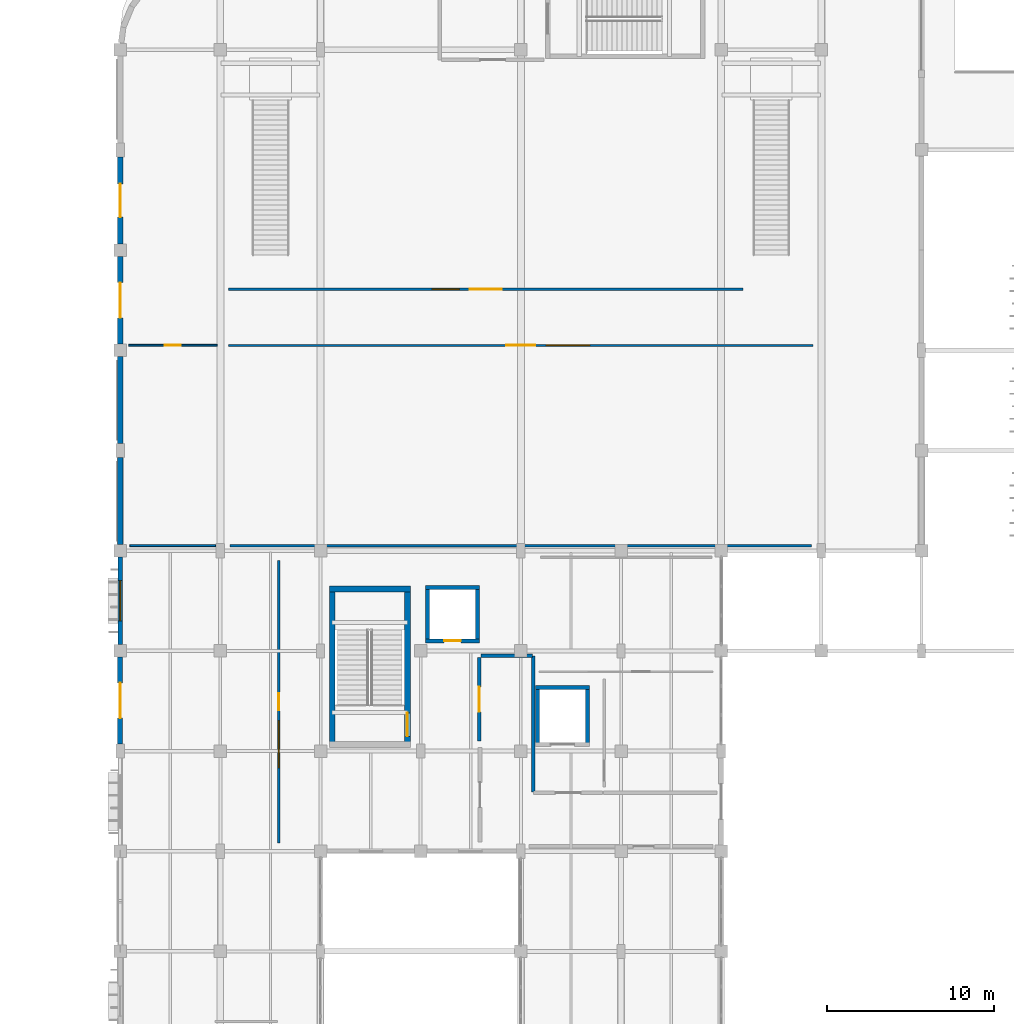
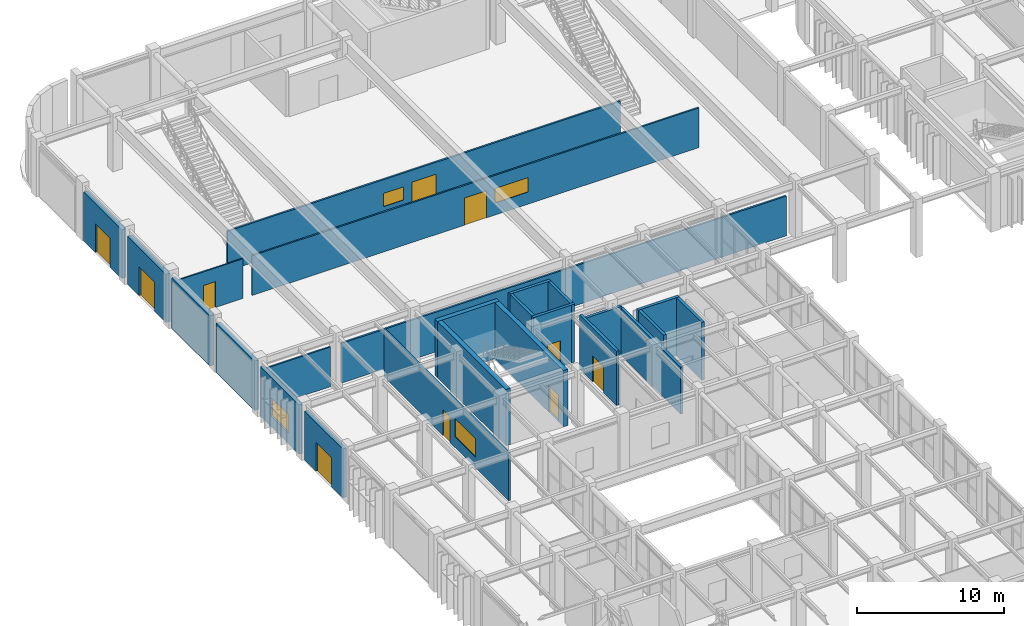
# One storey, part 45 of 76: 25 walls, 10 doors, 4 windows, 14 openings.
"""IFC4 building model written with IfcOpenShell, lengths in metres."""

from ifc_helpers import new_model, si_unit, direction, frame, frame_2d, origin, place, context, subcontext, project, spatial, rectangle, extrude, material, layer, layer_set, type_object, element, fill, save


model = new_model("IFC4")

# Units and contexts
model_context = context("Model", 3, precision=1e-05, world=origin(), true_north=direction((0.0, 1.0)))
body_context = subcontext(model_context, "Body", "Model", "MODEL_VIEW")
ifc_project = project(units=[si_unit("LENGTHUNIT", "METRE"), si_unit("AREAUNIT", "SQUARE_METRE"), si_unit("VOLUMEUNIT", "CUBIC_METRE"), si_unit("PLANEANGLEUNIT", "RADIAN"), si_unit("MASSUNIT", "GRAM", prefix="KILO")], contexts=[model_context])

# Site, building, storey
site_placement = place(None, origin())
site = spatial("IfcSite", under=ifc_project, at=site_placement, CompositionType="ELEMENT")
building_placement = place(site_placement, origin())
building = spatial("IfcBuilding", under=site, at=building_placement, Name="Varnakota Square Police Headquarters", CompositionType="ELEMENT")
storey_placement = place(building_placement, origin())
storey = spatial("IfcBuildingStorey", under=building, at=storey_placement, Name="L00", CompositionType="ELEMENT", Elevation=0.0)

# Wall, opening, door
ifc_material_1 = material(Name="Concrete M40", Category="concrete")
ifc_layer_1 = layer(ifc_material_1, 0.22998046875, Name="Concrete M40")
ifc_layer_set_1 = layer_set([ifc_layer_1], Name="Concrete M40")
wall_type_1 = type_object("IfcWallType", Name="WL-CORE-230", PredefinedType="SHEAR", material=ifc_layer_set_1)
wall_1_placement = place(storey_placement, frame((24.284912109375, 69.60009765625, 0.0), z_axis=(0.0, 0.0, 1.0), x_axis=(1.0, 0.0, 0.0)))
wall_1 = element("IfcWall", 1, at=wall_1_placement, inside=storey, type_object=wall_type_1, Name="Lift shaft wall LF-P3 L00 S", PredefinedType="SHEAR", context=body_context, shape_type="SweptSolid", body=[
    extrude(rectangle(XDim=3.22998046875, YDim=0.22998046875, at=frame_2d((1.614990234375, 0.0))), origin(), (0.0, 0.0, 1.0), 4.800048828125),
])
opening_1_placement = place(wall_1_placement, frame((1.114990234375, 0.0, 0.0)))
opening_1 = element("IfcOpeningElement", 2, at=opening_1_placement, cuts=wall_1, Name="Opening LD032", PredefinedType="OPENING", context=body_context, shape_type="SweptSolid", body=[
    extrude(rectangle(XDim=1.0, YDim=2.14990234375, at=frame_2d((0.5, 1.074951171875))), frame((0.0, 0.125, 0.0), z_axis=(0.0, -1.0, 0.0), x_axis=(1.0, 0.0, 0.0)), (0.0, 0.0, 1.0), 0.25),
])
ifc_material_2 = material(Name="Brushed Grade 316 Stainless Steel", Category="steel")
door_type_1 = type_object("IfcDoorType", Name="DR-LD-PAX", OperationType="NOTDEFINED", PredefinedType="DOOR", material=ifc_material_2)
door_1_placement = place(opening_1_placement, origin())
door_1 = element("IfcDoor", 3, at=door_1_placement, inside=storey, type_object=door_type_1, Name="Lift sliding landing door LD032", OperationType="SLIDING_TO_LEFT", OverallHeight=2.14990234375, OverallWidth=1.0, PredefinedType="DOOR", context=body_context, shape_type="SweptSolid", body=[
    extrude(rectangle(XDim=1.0, YDim=2.14990234375, at=frame_2d((0.5, 1.074951171875))), frame((0.0, 0.02490234375, 0.0), z_axis=(0.0, -1.0, 0.0), x_axis=(1.0, 0.0, 0.0)), (0.0, 0.0, 1.0), 0.050048828125),
])
fill(opening_1, door_1)

# Walls
wall_2_placement = place(storey_placement, frame((27.39990234375, 69.485107421875, 0.0), z_axis=(0.0, 0.0, 1.0), x_axis=(0.0, 1.0, 0.0)))
element("IfcWall", 4, at=wall_2_placement, inside=storey, type_object=wall_type_1, Name="Lift shaft wall LF-P3 L00 E", PredefinedType="SHEAR", context=body_context, shape_type="SweptSolid", body=[
    extrude(rectangle(XDim=3.429931640625, YDim=0.22998046875, at=frame_2d((1.71484375, 0.0))), origin(), (0.0, 0.0, 1.0), 4.800048828125),
])
wall_3_placement = place(storey_placement, frame((27.514892578125, 72.800048828125, 0.0), z_axis=(0.0, 0.0, 1.0), x_axis=(-1.0, 0.0, 0.0)))
element("IfcWall", 5, at=wall_3_placement, inside=storey, type_object=wall_type_1, Name="Lift shaft wall LF-P3 L00 N", PredefinedType="SHEAR", context=body_context, shape_type="SweptSolid", body=[
    extrude(rectangle(XDim=3.22998046875, YDim=0.22998046875, at=frame_2d((1.614990234375, 0.0))), origin(), (0.0, 0.0, 1.0), 4.800048828125),
])
wall_4_placement = place(storey_placement, frame((24.39990234375, 72.9150390625, 0.0), z_axis=(0.0, 0.0, 1.0), x_axis=(0.0, -1.0, 0.0)))
element("IfcWall", 6, at=wall_4_placement, inside=storey, type_object=wall_type_1, Name="Lift shaft wall LF-P3 L00 W", PredefinedType="SHEAR", context=body_context, shape_type="SweptSolid", body=[
    extrude(rectangle(XDim=3.429931640625, YDim=0.22998046875, at=frame_2d((1.71484375, 0.0))), origin(), (0.0, 0.0, 1.0), 4.800048828125),
])
wall_5_placement = place(storey_placement, frame((34.0, 63.284912109375, 0.0), z_axis=(0.0, 0.0, 1.0), x_axis=(0.0, 1.0, 0.0)))
element("IfcWall", 7, at=wall_5_placement, inside=storey, type_object=wall_type_1, Name="Lift shaft wall LF-G1 L00 E", PredefinedType="SHEAR", context=body_context, shape_type="SweptSolid", body=[
    extrude(rectangle(XDim=3.630126953125, YDim=0.22998046875, at=frame_2d((1.81494140625, 0.0))), origin(), (0.0, 0.0, 1.0), 4.800048828125),
])
wall_6_placement = place(storey_placement, frame((34.114990234375, 66.800048828125, 0.0), z_axis=(0.0, 0.0, 1.0), x_axis=(-1.0, 0.0, 0.0)))
element("IfcWall", 8, at=wall_6_placement, inside=storey, type_object=wall_type_1, Name="Lift shaft wall LF-G1 L00 N", PredefinedType="SHEAR", context=body_context, shape_type="SweptSolid", body=[
    extrude(rectangle(XDim=3.22998046875, YDim=0.22998046875, at=frame_2d((1.614990234375, 0.0))), origin(), (0.0, 0.0, 1.0), 4.800048828125),
])
wall_7_placement = place(storey_placement, frame((31.0, 66.9150390625, 0.0), z_axis=(0.0, 0.0, 1.0), x_axis=(0.0, -1.0, 0.0)))
element("IfcWall", 9, at=wall_7_placement, inside=storey, type_object=wall_type_1, Name="Lift shaft wall LF-G1 L00 W", PredefinedType="SHEAR", context=body_context, shape_type="SweptSolid", body=[
    extrude(rectangle(XDim=3.630126953125, YDim=0.22998046875, at=frame_2d((1.81494140625, 0.0))), origin(), (0.0, 0.0, 1.0), 4.800048828125),
])

# Wall, opening, door
ifc_material_3 = material(Name="Concrete M50", Category="concrete")
ifc_layer_2 = layer(ifc_material_3, 0.35009765625, Name="Concrete M50")
ifc_layer_set_2 = layer_set([ifc_layer_2], Name="Concrete M50")
wall_type_2 = type_object("IfcWallType", Name="WL-CORE-350", PredefinedType="SHEAR", material=ifc_layer_set_2)
wall_8_placement = place(storey_placement, frame((23.199951171875, 63.22509765625, 0.0), z_axis=(0.0, 0.0, 1.0), x_axis=(0.0, 1.0, 0.0)))
wall_8 = element("IfcWall", 10, at=wall_8_placement, inside=storey, type_object=wall_type_2, Name="Core C5 shear wall L00 E", PredefinedType="SHEAR", context=body_context, shape_type="SweptSolid", body=[
    extrude(rectangle(XDim=9.64990234375, YDim=0.35009765625, at=frame_2d((4.824951171875, 0.0))), origin(), (0.0, 0.0, 1.0), 4.659912109375),
])
opening_2_placement = place(wall_8_placement, frame((0.655029296875, 0.0, 0.0)))
opening_2 = element("IfcOpeningElement", 11, at=opening_2_placement, cuts=wall_8, Name="Opening SD078", PredefinedType="OPENING", context=body_context, shape_type="SweptSolid", body=[
    extrude(rectangle(XDim=1.39990234375, YDim=2.199951171875, at=frame_2d((0.699951171875, 1.10009765625))), frame((0.0, 0.18505859375, 0.0), z_axis=(0.0, -1.0, 0.0), x_axis=(1.0, 0.0, 0.0)), (0.0, 0.0, 1.0), 0.3701171875),
])
ifc_material_4 = material(Name="Powder-Coated Galvanised Steel", Category="steel")
door_type_2 = type_object("IfcDoorType", Name="DR-ST-140", OperationType="NOTDEFINED", PredefinedType="DOOR", material=ifc_material_4)
door_2_placement = place(opening_2_placement, origin())
door_2 = element("IfcDoor", 12, at=door_2_placement, inside=storey, type_object=door_type_2, Name="Protected stair door SD078", OperationType="DOUBLE_DOOR_SINGLE_SWING", OverallHeight=2.199951171875, OverallWidth=1.39990234375, PredefinedType="DOOR", context=body_context, shape_type="SweptSolid", body=[
    extrude(rectangle(XDim=1.39990234375, YDim=2.199951171875, at=frame_2d((0.699951171875, 1.10009765625))), frame((0.0, 0.02490234375, 0.0), z_axis=(0.0, -1.0, 0.0), x_axis=(1.0, 0.0, 0.0)), (0.0, 0.0, 1.0), 0.050048828125),
])
fill(opening_2, door_2)

# Walls
wall_9_placement = place(storey_placement, frame((23.375, 72.699951171875, 0.0), z_axis=(0.0, 0.0, 1.0), x_axis=(-1.0, 0.0, 0.0)))
element("IfcWall", 13, at=wall_9_placement, inside=storey, type_object=wall_type_2, Name="Core C5 shear wall L00 N", PredefinedType="SHEAR", context=body_context, shape_type="SweptSolid", body=[
    extrude(rectangle(XDim=4.85009765625, YDim=0.35009765625, at=frame_2d((2.425048828125, 0.0))), origin(), (0.0, 0.0, 1.0), 4.659912109375),
])
wall_10_placement = place(storey_placement, frame((18.699951171875, 72.875, 0.0), z_axis=(0.0, 0.0, 1.0), x_axis=(0.0, -1.0, 0.0)))
element("IfcWall", 14, at=wall_10_placement, inside=storey, type_object=wall_type_2, Name="Core C5 shear wall L00 W", PredefinedType="SHEAR", context=body_context, shape_type="SweptSolid", body=[
    extrude(rectangle(XDim=9.64990234375, YDim=0.35009765625, at=frame_2d((4.824951171875, 0.0))), origin(), (0.0, 0.0, 1.0), 4.659912109375),
])

# Wall, opening, window
ifc_layer_3 = layer(ifc_material_1, 0.280029296875, Name="Concrete M40")
ifc_layer_set_3 = layer_set([ifc_layer_3], Name="Concrete M40")
wall_type_3 = type_object("IfcWallType", Name="WL-EXT-280", PredefinedType="SOLIDWALL", material=ifc_layer_set_3)
wall_11_placement = place(storey_placement, frame((6.0, 69.37890625, 0.0), z_axis=(0.0, 0.0, 1.0), x_axis=(0.0, 1.0, 0.0)))
wall_11 = element("IfcWall", 15, at=wall_11_placement, inside=storey, type_object=wall_type_3, Name="Exterior wall EW-L00-0393", PredefinedType="SOLIDWALL", context=body_context, shape_type="SweptSolid", body=[
    extrude(rectangle(XDim=5.2421875, YDim=0.280029296875, at=frame_2d((2.62109375, 0.0))), origin(), (0.0, 0.0, 1.0), 4.08349609375),
])
opening_3_placement = place(wall_11_placement, frame((1.4208984375, 0.0, 0.89990234375)))
opening_3 = element("IfcOpeningElement", 16, at=opening_3_placement, cuts=wall_11, Name="Opening W02", PredefinedType="OPENING", context=body_context, shape_type="SweptSolid", body=[
    extrude(rectangle(XDim=2.39990234375, YDim=1.5, at=frame_2d((1.199951171875, 0.75))), frame((0.0, 0.14990234375, 0.0), z_axis=(0.0, -1.0, 0.0), x_axis=(1.0, 0.0, 0.0)), (0.0, 0.0, 1.0), 0.300048828125),
])
ifc_material_5 = material(Name="Thermally Broken Aluminium Double-Glazed Window", Category="aluminium")
window_type_1 = type_object("IfcWindowType", Name="WIN-02", PartitioningType="SINGLE_PANEL", PredefinedType="WINDOW", material=ifc_material_5)
window_1_placement = place(opening_3_placement, origin())
window_1 = element("IfcWindow", 17, at=window_1_placement, inside=storey, type_object=window_type_1, Name="Window WN-L00-0068", OverallHeight=1.5, OverallWidth=2.39990234375, PartitioningType="SINGLE_PANEL", PredefinedType="WINDOW", context=body_context, shape_type="SweptSolid", body=[
    extrude(rectangle(XDim=2.39990234375, YDim=1.5, at=frame_2d((1.199951171875, 0.75))), frame((0.0, 0.030029296875, 0.0), z_axis=(0.0, -1.0, 0.0), x_axis=(1.0, 0.0, 0.0)), (0.0, 0.0, 1.0), 0.06005859375),
])
fill(opening_3, window_1)

# Wall, opening, door
ifc_material_6 = material(Name="Precast concrete M40", Category="concrete")
ifc_layer_4 = layer(ifc_material_6, 0.300048828125, Name="Precast concrete M40")
ifc_layer_set_4 = layer_set([ifc_layer_4], Name="Precast concrete M40")
wall_type_4 = type_object("IfcWallType", Name="WL-EXT-300", PredefinedType="SOLIDWALL", material=ifc_layer_set_4)
wall_12_placement = place(storey_placement, frame((6.0, 63.428955078125, 0.0), z_axis=(0.0, 0.0, 1.0), x_axis=(0.0, 1.0, 0.0)))
wall_12 = element("IfcWall", 18, at=wall_12_placement, inside=storey, type_object=wall_type_4, Name="Exterior wall EW-L00-0392", PredefinedType="SOLIDWALL", context=body_context, shape_type="SweptSolid", body=[
    extrude(rectangle(XDim=5.192138671875, YDim=0.300048828125, at=frame_2d((2.59619140625, 0.0))), origin(), (0.0, 0.0, 1.0), 4.0400390625),
])
opening_4_placement = place(wall_12_placement, frame((1.5458984375, 0.0, 0.0)))
opening_4 = element("IfcOpeningElement", 19, at=opening_4_placement, cuts=wall_12, Name="Opening ED17", PredefinedType="OPENING", context=body_context, shape_type="SweptSolid", body=[
    extrude(rectangle(XDim=2.10009765625, YDim=2.39990234375, at=frame_2d((1.050048828125, 1.199951171875))), frame((0.0, 0.159912109375, 0.0), z_axis=(0.0, -1.0, 0.0), x_axis=(1.0, 0.0, 0.0)), (0.0, 0.0, 1.0), 0.320068359375),
])
ifc_material_7 = material(Name="Anodised Aluminium Glazed Exit Door", Category="aluminium")
door_type_3 = type_object("IfcDoorType", Name="DR-EXT-ED210", OperationType="NOTDEFINED", PredefinedType="DOOR", material=ifc_material_7)
door_3_placement = place(opening_4_placement, origin())
door_3 = element("IfcDoor", 20, at=door_3_placement, inside=storey, type_object=door_type_3, Name="Exterior door ED17", OperationType="DOUBLE_DOOR_SINGLE_SWING", OverallHeight=2.39990234375, OverallWidth=2.10009765625, PredefinedType="DOOR", context=body_context, shape_type="SweptSolid", body=[
    extrude(rectangle(XDim=2.10009765625, YDim=2.39990234375, at=frame_2d((1.050048828125, 1.199951171875))), frame((0.0, 0.02490234375, 0.0), z_axis=(0.0, -1.0, 0.0), x_axis=(1.0, 0.0, 0.0)), (0.0, 0.0, 1.0), 0.050048828125),
])
fill(opening_4, door_3)

# Walls
ifc_layer_5 = layer(ifc_material_1, 0.340087890625, Name="Concrete M40")
ifc_layer_set_5 = layer_set([ifc_layer_5], Name="Concrete M40")
wall_type_5 = type_object("IfcWallType", Name="WL-EXT-340", PredefinedType="SOLIDWALL", material=ifc_layer_set_5)
wall_13_placement = place(storey_placement, frame((6.0, 75.37890625, 0.0), z_axis=(0.0, 0.0, 1.0), x_axis=(0.0, 1.0, 0.0)))
element("IfcWall", 21, at=wall_13_placement, inside=storey, type_object=wall_type_5, Name="Exterior wall EW-L00-0556", PredefinedType="SOLIDWALL", context=body_context, shape_type="SweptSolid", body=[
    extrude(rectangle(XDim=5.192138671875, YDim=0.340087890625, at=frame_2d((2.59619140625, 0.0))), origin(), (0.0, 0.0, 1.0), 4.08349609375),
])
wall_14_placement = place(storey_placement, frame((6.0, 81.428955078125, 0.0), z_axis=(0.0, 0.0, 1.0), x_axis=(0.0, 1.0, 0.0)))
element("IfcWall", 22, at=wall_14_placement, inside=storey, type_object=wall_type_5, Name="Exterior wall EW-L00-0557", PredefinedType="SOLIDWALL", context=body_context, shape_type="SweptSolid", body=[
    extrude(rectangle(XDim=5.192138671875, YDim=0.340087890625, at=frame_2d((2.59619140625, 0.0))), origin(), (0.0, 0.0, 1.0), 4.166015625),
])

# Wall, opening, door
wall_15_placement = place(storey_placement, frame((6.0, 87.37890625, 0.0), z_axis=(0.0, 0.0, 1.0), x_axis=(0.0, 1.0, 0.0)))
wall_15 = element("IfcWall", 23, at=wall_15_placement, inside=storey, type_object=wall_type_5, Name="Exterior wall EW-L00-0558", PredefinedType="SOLIDWALL", context=body_context, shape_type="SweptSolid", body=[
    extrude(rectangle(XDim=5.2421875, YDim=0.340087890625, at=frame_2d((2.62109375, 0.0))), origin(), (0.0, 0.0, 1.0), 3.989990234375),
])
opening_5_placement = place(wall_15_placement, frame((1.571044921875, 0.0, 0.0)))
opening_5 = element("IfcOpeningElement", 24, at=opening_5_placement, cuts=wall_15, Name="Opening ED19", PredefinedType="OPENING", context=body_context, shape_type="SweptSolid", body=[
    extrude(rectangle(XDim=2.10009765625, YDim=2.39990234375, at=frame_2d((1.050048828125, 1.199951171875))), frame((0.0, 0.179931640625, 0.0), z_axis=(0.0, -1.0, 0.0), x_axis=(1.0, 0.0, 0.0)), (0.0, 0.0, 1.0), 0.360107421875),
])
door_4_placement = place(opening_5_placement, origin())
door_4 = element("IfcDoor", 25, at=door_4_placement, inside=storey, type_object=door_type_3, Name="Exterior door ED19", OperationType="DOUBLE_DOOR_SINGLE_SWING", OverallHeight=2.39990234375, OverallWidth=2.10009765625, PredefinedType="DOOR", context=body_context, shape_type="SweptSolid", body=[
    extrude(rectangle(XDim=2.10009765625, YDim=2.39990234375, at=frame_2d((1.050048828125, 1.199951171875))), frame((0.0, 0.02490234375, 0.0), z_axis=(0.0, -1.0, 0.0), x_axis=(1.0, 0.0, 0.0)), (0.0, 0.0, 1.0), 0.050048828125),
])
fill(opening_5, door_4)

wall_16_placement = place(storey_placement, frame((6.0, 93.37890625, 0.0), z_axis=(0.0, 0.0, 1.0), x_axis=(0.0, 1.0, 0.0)))
wall_16 = element("IfcWall", 26, at=wall_16_placement, inside=storey, type_object=wall_type_5, Name="Exterior wall EW-L00-0559", PredefinedType="SOLIDWALL", context=body_context, shape_type="SweptSolid", body=[
    extrude(rectangle(XDim=5.192138671875, YDim=0.340087890625, at=frame_2d((2.59619140625, 0.0))), origin(), (0.0, 0.0, 1.0), 4.0400390625),
])
opening_6_placement = place(wall_16_placement, frame((1.595947265625, 0.0, 0.0)))
opening_6 = element("IfcOpeningElement", 27, at=opening_6_placement, cuts=wall_16, Name="Opening ED20", PredefinedType="OPENING", context=body_context, shape_type="SweptSolid", body=[
    extrude(rectangle(XDim=2.0, YDim=2.39990234375, at=frame_2d((1.0, 1.199951171875))), frame((0.0, 0.179931640625, 0.0), z_axis=(0.0, -1.0, 0.0), x_axis=(1.0, 0.0, 0.0)), (0.0, 0.0, 1.0), 0.360107421875),
])
ifc_material_8 = material(Name="Powder-Coated Steel Exit Door", Category="steel")
door_type_4 = type_object("IfcDoorType", Name="DR-EXT-ED200", OperationType="NOTDEFINED", PredefinedType="DOOR", material=ifc_material_8)
door_5_placement = place(opening_6_placement, origin())
door_5 = element("IfcDoor", 28, at=door_5_placement, inside=storey, type_object=door_type_4, Name="Exterior door ED20", OperationType="DOUBLE_DOOR_SINGLE_SWING", OverallHeight=2.39990234375, OverallWidth=2.0, PredefinedType="DOOR", context=body_context, shape_type="SweptSolid", body=[
    extrude(rectangle(XDim=2.0, YDim=2.39990234375, at=frame_2d((1.0, 1.199951171875))), frame((0.0, 0.02490234375, 0.0), z_axis=(0.0, -1.0, 0.0), x_axis=(1.0, 0.0, 0.0)), (0.0, 0.0, 1.0), 0.050048828125),
])
fill(opening_6, door_5)

ifc_material_9 = material(Name="Glazed Clean-Lab Modular Partition", Category="gypsum")
ifc_layer_6 = layer(ifc_material_9, 0.10498046875, Name="Glazed Clean-Lab Modular Partition")
ifc_layer_set_6 = layer_set([ifc_layer_6], Name="Glazed Clean-Lab Modular Partition")
wall_type_6 = type_object("IfcWallType", Name="WL-PRT-105", PredefinedType="PARTITIONING", material=ifc_layer_set_6)
wall_17_placement = place(storey_placement, frame((6.5, 87.300048828125, 0.0), z_axis=(0.0, 0.0, 1.0), x_axis=(1.0, 0.0, 0.0)))
wall_17 = element("IfcWall", 29, at=wall_17_placement, inside=storey, type_object=wall_type_6, Name="Interior partition PW-L00-0047 (Qualification Control Booth)", PredefinedType="PARTITIONING", context=body_context, shape_type="SweptSolid", body=[
    extrude(rectangle(XDim=5.300048828125, YDim=0.10498046875, at=frame_2d((2.64990234375, 0.0))), origin(), (0.0, 0.0, 1.0), 3.2900390625),
])
opening_7_placement = place(wall_17_placement, frame((2.175048828125, 0.0, 0.0)))
opening_7 = element("IfcOpeningElement", 30, at=opening_7_placement, cuts=wall_17, Name="Opening D179", PredefinedType="OPENING", context=body_context, shape_type="SweptSolid", body=[
    extrude(rectangle(XDim=0.949951171875, YDim=2.14990234375, at=frame_2d((0.47509765625, 1.074951171875))), frame((0.0, 0.0625, 0.0), z_axis=(0.0, -1.0, 0.0), x_axis=(1.0, 0.0, 0.0)), (0.0, 0.0, 1.0), 0.125),
])
ifc_material_10 = material(Name="Solid-Core Teak Veneer Hardwood", Category="wood")
door_type_5 = type_object("IfcDoorType", Name="DR-OFF-095", OperationType="NOTDEFINED", PredefinedType="DOOR", material=ifc_material_10)
door_6_placement = place(opening_7_placement, origin())
door_6 = element("IfcDoor", 31, at=door_6_placement, inside=storey, type_object=door_type_5, Name="Room door D179 (Qualification Control Booth)", OperationType="SINGLE_SWING_LEFT", OverallHeight=2.14990234375, OverallWidth=0.949951171875, PredefinedType="DOOR", context=body_context, shape_type="SweptSolid", body=[
    extrude(rectangle(XDim=0.949951171875, YDim=2.14990234375, at=frame_2d((0.47509765625, 1.074951171875))), frame((0.0, 0.02490234375, 0.0), z_axis=(0.0, -1.0, 0.0), x_axis=(1.0, 0.0, 0.0)), (0.0, 0.0, 1.0), 0.050048828125),
])
fill(opening_7, door_6)

# Wall
ifc_material_11 = material(Name="Moisture-Resistant Tile-Backed Partition", Category="gypsum")
ifc_layer_7 = layer(ifc_material_11, 0.114990234375, Name="Moisture-Resistant Tile-Backed Partition")
ifc_layer_set_7 = layer_set([ifc_layer_7], Name="Moisture-Resistant Tile-Backed Partition")
wall_type_7 = type_object("IfcWallType", Name="WL-PRT-115", PredefinedType="PARTITIONING", material=ifc_layer_set_7)
wall_18_placement = place(storey_placement, frame((11.719970703125, 75.300048828125, 0.0), z_axis=(0.0, 0.0, 1.0), x_axis=(-1.0, 0.0, 0.0)))
element("IfcWall", 32, at=wall_18_placement, inside=storey, type_object=wall_type_7, Name="Interior dividing partition PW-L00-0081 (Qualification Control Booth)", PredefinedType="PARTITIONING", context=body_context, shape_type="SweptSolid", body=[
    extrude(rectangle(XDim=5.139892578125, YDim=0.114990234375, at=frame_2d((2.56982421875, 0.0))), origin(), (0.0, 0.0, 1.0), 3.2900390625),
])

# Wall, openings, door, window
ifc_material_12 = material(Name="Acoustic Insulated Metal-Stud Partition", Category="gypsum")
ifc_layer_8 = layer(ifc_material_12, 0.125, Name="Acoustic Insulated Metal-Stud Partition")
ifc_layer_set_8 = layer_set([ifc_layer_8], Name="Acoustic Insulated Metal-Stud Partition")
wall_type_8 = type_object("IfcWallType", Name="WL-PRT-125", PredefinedType="PARTITIONING", material=ifc_layer_set_8)
wall_19_placement = place(storey_placement, frame((12.5, 87.300048828125, 0.0), z_axis=(0.0, 0.0, 1.0), x_axis=(1.0, 0.0, 0.0)))
wall_19 = element("IfcWall", 33, at=wall_19_placement, inside=storey, type_object=wall_type_8, Name="Interior partition PW-L00-0046 (Indoor Baffled Firing Range)", PredefinedType="PARTITIONING", context=body_context, shape_type="SweptSolid", body=[
    extrude(rectangle(XDim=35.0, YDim=0.125, at=frame_2d((17.5, 0.0))), origin(), (0.0, 0.0, 1.0), 3.2900390625),
])
opening_8_placement = place(wall_19_placement, frame((16.625, 0.0, 0.0)))
opening_8 = element("IfcOpeningElement", 34, at=opening_8_placement, cuts=wall_19, Name="Opening D178", PredefinedType="OPENING", context=body_context, shape_type="SweptSolid", body=[
    extrude(rectangle(XDim=1.75, YDim=2.25, at=frame_2d((0.875, 1.125))), frame((0.0, 0.072509765625, 0.0), z_axis=(0.0, -1.0, 0.0), x_axis=(1.0, 0.0, 0.0)), (0.0, 0.0, 1.0), 0.14501953125),
])
opening_9_placement = place(wall_19_placement, frame((19.02490234375, 0.0, 1.0)))
opening_9 = element("IfcOpeningElement", 35, at=opening_9_placement, cuts=wall_19, Name="Opening IW02", PredefinedType="OPENING", context=body_context, shape_type="SweptSolid", body=[
    extrude(rectangle(XDim=2.60009765625, YDim=1.199951171875, at=frame_2d((1.300048828125, 0.60009765625))), frame((0.0, 0.072509765625, 0.0), z_axis=(0.0, -1.0, 0.0), x_axis=(1.0, 0.0, 0.0)), (0.0, 0.0, 1.0), 0.14501953125),
])
ifc_material_13 = material(Name="Thermally Broken Anodised Aluminium and Toughened Glass", Category="aluminium")
door_type_6 = type_object("IfcDoorType", Name="DR-GYM-175", OperationType="NOTDEFINED", PredefinedType="DOOR", material=ifc_material_13)
door_7_placement = place(opening_8_placement, origin())
door_7 = element("IfcDoor", 36, at=door_7_placement, inside=storey, type_object=door_type_6, Name="Room door D178 (Indoor Baffled Firing Range)", OperationType="DOUBLE_DOOR_SINGLE_SWING", OverallHeight=2.25, OverallWidth=1.75, PredefinedType="DOOR", context=body_context, shape_type="SweptSolid", body=[
    extrude(rectangle(XDim=1.75, YDim=2.25, at=frame_2d((0.875, 1.125))), frame((0.0, 0.02490234375, 0.0), z_axis=(0.0, -1.0, 0.0), x_axis=(1.0, 0.0, 0.0)), (0.0, 0.0, 1.0), 0.050048828125),
])
fill(opening_8, door_7)
ifc_material_14 = material(Name="Acoustic Laminated Interior Vision Glazing", Category="glass")
window_type_2 = type_object("IfcWindowType", Name="WIN-INT-02", PartitioningType="SINGLE_PANEL", PredefinedType="WINDOW", material=ifc_material_14)
window_2_placement = place(opening_9_placement, origin())
window_2 = element("IfcWindow", 37, at=window_2_placement, inside=storey, type_object=window_type_2, Name="Interior observation window IWN-L00-010", OverallHeight=1.199951171875, OverallWidth=2.60009765625, PartitioningType="SINGLE_PANEL", PredefinedType="WINDOW", context=body_context, shape_type="SweptSolid", body=[
    extrude(rectangle(XDim=2.60009765625, YDim=1.199951171875, at=frame_2d((1.300048828125, 0.60009765625))), frame((0.0, 0.030029296875, 0.0), z_axis=(0.0, -1.0, 0.0), x_axis=(1.0, 0.0, 0.0)), (0.0, 0.0, 1.0), 0.06005859375),
])
fill(opening_9, window_2)

ifc_layer_9 = layer(ifc_material_12, 0.139892578125, Name="Acoustic Insulated Metal-Stud Partition")
ifc_layer_set_9 = layer_set([ifc_layer_9], Name="Acoustic Insulated Metal-Stud Partition")
wall_type_9 = type_object("IfcWallType", Name="WL-PRT-140", PredefinedType="PARTITIONING", material=ifc_layer_set_9)
wall_20_placement = place(storey_placement, frame((15.5, 74.39990234375, 0.0), z_axis=(0.0, 0.0, 1.0), x_axis=(0.0, -1.0, 0.0)))
wall_20 = element("IfcWall", 38, at=wall_20_placement, inside=storey, type_object=wall_type_9, Name="Interior partition PW-L00-0043 (Bulk Forensic Exhibit Store)", PredefinedType="PARTITIONING", context=body_context, shape_type="SweptSolid", body=[
    extrude(rectangle(XDim=16.89990234375, YDim=0.139892578125, at=frame_2d((8.449951171875, 0.0))), origin(), (0.0, 0.0, 1.0), 3.93994140625),
])
opening_10_placement = place(wall_20_placement, frame((7.949951171875, 0.0, 0.0)))
opening_10 = element("IfcOpeningElement", 39, at=opening_10_placement, cuts=wall_20, Name="Opening D175", PredefinedType="OPENING", context=body_context, shape_type="SweptSolid", body=[
    extrude(rectangle(XDim=1.0, YDim=2.14990234375, at=frame_2d((0.5, 1.074951171875))), frame((0.0, 0.079833984375, 0.0), z_axis=(0.0, -1.0, 0.0), x_axis=(1.0, 0.0, 0.0)), (0.0, 0.0, 1.0), 0.159912109375),
])
opening_11_placement = place(wall_20_placement, frame((9.60009765625, 0.0, 0.89990234375)))
opening_11 = element("IfcOpeningElement", 40, at=opening_11_placement, cuts=wall_20, Name="Opening IW08", PredefinedType="OPENING", context=body_context, shape_type="SweptSolid", body=[
    extrude(rectangle(XDim=2.800048828125, YDim=1.5, at=frame_2d((1.39990234375, 0.75))), frame((0.0, 0.079833984375, 0.0), z_axis=(0.0, -1.0, 0.0), x_axis=(1.0, 0.0, 0.0)), (0.0, 0.0, 1.0), 0.159912109375),
])
door_type_7 = type_object("IfcDoorType", Name="DR-OFF-100", OperationType="NOTDEFINED", PredefinedType="DOOR", material=ifc_material_10)
door_8_placement = place(opening_10_placement, origin())
door_8 = element("IfcDoor", 41, at=door_8_placement, inside=storey, type_object=door_type_7, Name="Room door D175 (Bulk Forensic Exhibit Store)", OperationType="SINGLE_SWING_RIGHT", OverallHeight=2.14990234375, OverallWidth=1.0, PredefinedType="DOOR", context=body_context, shape_type="SweptSolid", body=[
    extrude(rectangle(XDim=1.0, YDim=2.14990234375, at=frame_2d((0.5, 1.074951171875))), frame((0.0, 0.02490234375, 0.0), z_axis=(0.0, -1.0, 0.0), x_axis=(1.0, 0.0, 0.0)), (0.0, 0.0, 1.0), 0.050048828125),
])
fill(opening_10, door_8)
window_type_3 = type_object("IfcWindowType", Name="WIN-INT-08", PartitioningType="SINGLE_PANEL", PredefinedType="WINDOW", material=ifc_material_14)
window_3_placement = place(opening_11_placement, origin())
window_3 = element("IfcWindow", 42, at=window_3_placement, inside=storey, type_object=window_type_3, Name="Interior observation window IWN-L00-008", OverallHeight=1.5, OverallWidth=2.800048828125, PartitioningType="SINGLE_PANEL", PredefinedType="WINDOW", context=body_context, shape_type="SweptSolid", body=[
    extrude(rectangle(XDim=2.800048828125, YDim=1.5, at=frame_2d((1.39990234375, 0.75))), frame((0.0, 0.030029296875, 0.0), z_axis=(0.0, -1.0, 0.0), x_axis=(1.0, 0.0, 0.0)), (0.0, 0.0, 1.0), 0.06005859375),
])
fill(opening_11, window_3)

wall_21_placement = place(storey_placement, frame((43.300048828125, 90.64990234375, 0.0), z_axis=(0.0, 0.0, 1.0), x_axis=(-1.0, 0.0, 0.0)))
wall_21 = element("IfcWall", 43, at=wall_21_placement, inside=storey, type_object=wall_type_9, Name="Interior partition PW-L00-0048 (Briefing Auditorium)", PredefinedType="PARTITIONING", context=body_context, shape_type="SweptSolid", body=[
    extrude(rectangle(XDim=30.800048828125, YDim=0.139892578125, at=frame_2d((15.39990234375, 0.0))), origin(), (0.0, 0.0, 1.0), 3.2900390625),
])
opening_12_placement = place(wall_21_placement, frame((14.449951171875, 0.0, 0.0)))
opening_12 = element("IfcOpeningElement", 44, at=opening_12_placement, cuts=wall_21, Name="Opening D180", PredefinedType="OPENING", context=body_context, shape_type="SweptSolid", body=[
    extrude(rectangle(XDim=1.89990234375, YDim=2.300048828125, at=frame_2d((0.949951171875, 1.14990234375))), frame((0.0, 0.079833984375, 0.0), z_axis=(0.0, -1.0, 0.0), x_axis=(1.0, 0.0, 0.0)), (0.0, 0.0, 1.0), 0.159912109375),
])
opening_13_placement = place(wall_21_placement, frame((17.0, 0.0, 1.050048828125)))
opening_13 = element("IfcOpeningElement", 45, at=opening_13_placement, cuts=wall_21, Name="Opening IW03", PredefinedType="OPENING", context=body_context, shape_type="SweptSolid", body=[
    extrude(rectangle(XDim=1.60009765625, YDim=1.10009765625, at=frame_2d((0.800048828125, 0.550048828125))), frame((0.0, 0.079833984375, 0.0), z_axis=(0.0, -1.0, 0.0), x_axis=(1.0, 0.0, 0.0)), (0.0, 0.0, 1.0), 0.159912109375),
])
ifc_material_15 = material(Name="Solid-Core Acoustic Walnut Veneer Timber", Category="wood")
door_type_8 = type_object("IfcDoorType", Name="DR-AUD-190", OperationType="NOTDEFINED", PredefinedType="DOOR", material=ifc_material_15)
door_9_placement = place(opening_12_placement, origin())
door_9 = element("IfcDoor", 46, at=door_9_placement, inside=storey, type_object=door_type_8, Name="Room door D180 (Briefing Auditorium)", OperationType="DOUBLE_DOOR_SINGLE_SWING", OverallHeight=2.300048828125, OverallWidth=1.89990234375, PredefinedType="DOOR", context=body_context, shape_type="SweptSolid", body=[
    extrude(rectangle(XDim=1.89990234375, YDim=2.300048828125, at=frame_2d((0.949951171875, 1.14990234375))), frame((0.0, 0.02490234375, 0.0), z_axis=(0.0, -1.0, 0.0), x_axis=(1.0, 0.0, 0.0)), (0.0, 0.0, 1.0), 0.050048828125),
])
fill(opening_12, door_9)
window_type_4 = type_object("IfcWindowType", Name="WIN-INT-03", PartitioningType="SINGLE_PANEL", PredefinedType="WINDOW", material=ifc_material_14)
window_4_placement = place(opening_13_placement, origin())
window_4 = element("IfcWindow", 47, at=window_4_placement, inside=storey, type_object=window_type_4, Name="Interior observation window IWN-L00-011", OverallHeight=1.10009765625, OverallWidth=1.60009765625, PartitioningType="SINGLE_PANEL", PredefinedType="WINDOW", context=body_context, shape_type="SweptSolid", body=[
    extrude(rectangle(XDim=1.60009765625, YDim=1.10009765625, at=frame_2d((0.800048828125, 0.550048828125))), frame((0.0, 0.030029296875, 0.0), z_axis=(0.0, -1.0, 0.0), x_axis=(1.0, 0.0, 0.0)), (0.0, 0.0, 1.0), 0.06005859375),
])
fill(opening_13, window_4)

# Wall
wall_22_placement = place(storey_placement, frame((47.419921875, 75.300048828125, 0.0), z_axis=(0.0, 0.0, 1.0), x_axis=(-1.0, 0.0, 0.0)))
element("IfcWall", 48, at=wall_22_placement, inside=storey, type_object=wall_type_9, Name="Interior dividing partition PW-L00-0080 (Indoor Baffled Firing Range)", PredefinedType="PARTITIONING", context=body_context, shape_type="SweptSolid", body=[
    extrude(rectangle(XDim=34.83984375, YDim=0.139892578125, at=frame_2d((17.419921875, 0.0))), origin(), (0.0, 0.0, 1.0), 3.2900390625),
])

# Wall, opening, door
ifc_layer_10 = layer(ifc_material_1, 0.215087890625, Name="Concrete M40")
ifc_layer_set_10 = layer_set([ifc_layer_10], Name="Concrete M40")
wall_type_10 = type_object("IfcWallType", Name="WL-PRT-215F", PredefinedType="PARTITIONING", material=ifc_layer_set_10)
wall_23_placement = place(storey_placement, frame((27.5, 63.60009765625, 0.0), z_axis=(0.0, 0.0, 1.0), x_axis=(0.0, 1.0, 0.0)))
wall_23 = element("IfcWall", 49, at=wall_23_placement, inside=storey, type_object=wall_type_10, Name="Core C5 lobby fire partition L00", PredefinedType="PARTITIONING", context=body_context, shape_type="SweptSolid", body=[
    extrude(rectangle(XDim=5.0, YDim=0.215087890625, at=frame_2d((2.5, 0.0))), origin(), (0.0, 0.0, 1.0), 4.489990234375),
])
opening_14_placement = place(wall_23_placement, frame((1.75, 0.0, 0.0)))
opening_14 = element("IfcOpeningElement", 50, at=opening_14_placement, cuts=wall_23, Name="Opening FD085", PredefinedType="OPENING", context=body_context, shape_type="SweptSolid", body=[
    extrude(rectangle(XDim=1.5, YDim=2.14990234375, at=frame_2d((0.75, 1.074951171875))), frame((0.0, 0.117431640625, 0.0), z_axis=(0.0, -1.0, 0.0), x_axis=(1.0, 0.0, 0.0)), (0.0, 0.0, 1.0), 0.235107421875),
])
ifc_material_16 = material(Name="Smoke-Sealed Galvanised Acoustic Steel", Category="steel")
door_type_9 = type_object("IfcDoorType", Name="DR-FFL-150", OperationType="NOTDEFINED", PredefinedType="DOOR", material=ifc_material_16)
door_10_placement = place(opening_14_placement, origin())
door_10 = element("IfcDoor", 51, at=door_10_placement, inside=storey, type_object=door_type_9, Name="Core lobby smoke door FD085", OperationType="DOUBLE_DOOR_SINGLE_SWING", OverallHeight=2.14990234375, OverallWidth=1.5, PredefinedType="DOOR", context=body_context, shape_type="SweptSolid", body=[
    extrude(rectangle(XDim=1.5, YDim=2.14990234375, at=frame_2d((0.75, 1.074951171875))), frame((0.0, 0.02490234375, 0.0), z_axis=(0.0, -1.0, 0.0), x_axis=(1.0, 0.0, 0.0)), (0.0, 0.0, 1.0), 0.050048828125),
])
fill(opening_14, door_10)

# Walls
wall_24_placement = place(storey_placement, frame((30.75, 60.550048828125, 0.0), z_axis=(0.0, 0.0, 1.0), x_axis=(0.0, 1.0, 0.0)))
element("IfcWall", 52, at=wall_24_placement, inside=storey, type_object=wall_type_10, Name="Protected exit passageway fire wall EXW-C5-E1", PredefinedType="PARTITIONING", context=body_context, shape_type="SweptSolid", body=[
    extrude(rectangle(XDim=8.14990234375, YDim=0.215087890625, at=frame_2d((4.074951171875, 0.0))), origin(), (0.0, 0.0, 1.0), 3.889892578125),
])
wall_25_placement = place(storey_placement, frame((27.60009765625, 68.699951171875, 0.0), z_axis=(0.0, 0.0, 1.0), x_axis=(1.0, 0.0, 0.0)))
element("IfcWall", 53, at=wall_25_placement, inside=storey, type_object=wall_type_10, Name="Protected exit passageway fire wall EXW-C5-NW", PredefinedType="PARTITIONING", context=body_context, shape_type="SweptSolid", body=[
    extrude(rectangle(XDim=3.099853515625, YDim=0.215087890625, at=frame_2d((1.5498046875, 0.0))), origin(), (0.0, 0.0, 1.0), 4.0400390625),
])

save(model, "model.ifc")
